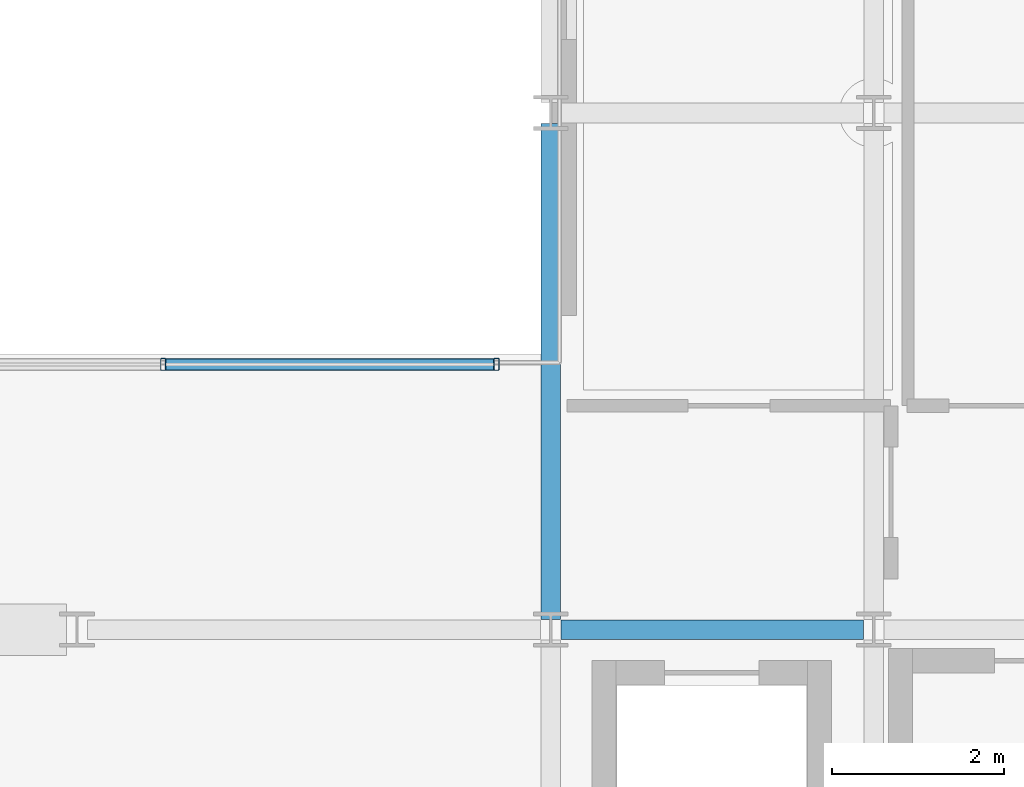
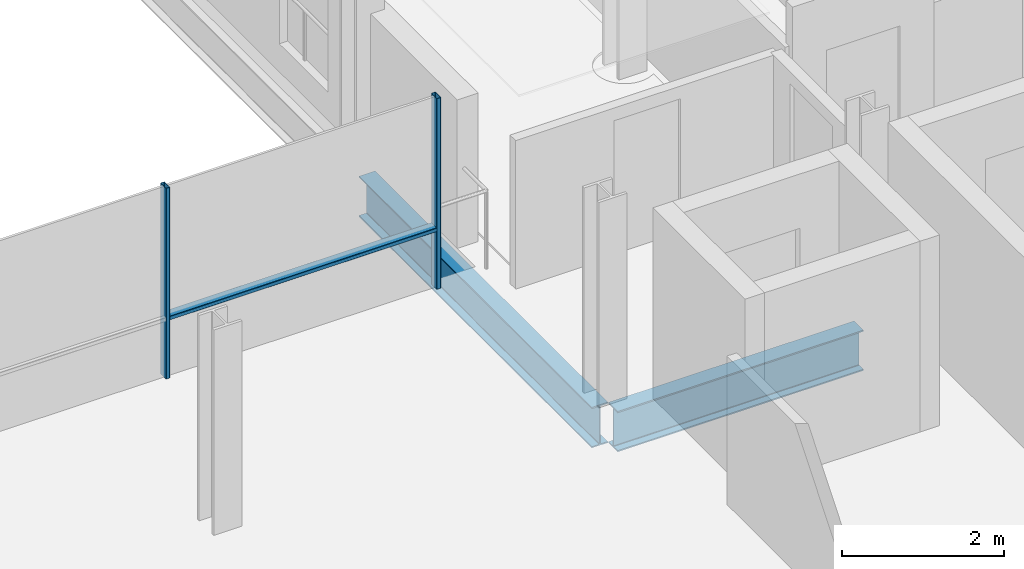
# One storey, part 15 of 38: 3 members, 2 beams, 1 element without a shape of its own.
"""IFC4 building model written with IfcOpenShell, lengths in metres."""

from ifc_helpers import new_model, si_unit, direction, frame, origin, origin_2d, place, context, subcontext, project, spatial, hollow_rectangle, i_section, extrude, material, layer, layer_set, material_profile, profile_set, type_object, element, aggregate, save


model = new_model("IFC4")

# Units and contexts
model_context = context("Model", 3, precision=1e-05, world=origin(), true_north=direction((0.0, 1.0)))
body_context = subcontext(model_context, "Body", "Model", "MODEL_VIEW")
ifc_project = project(units=[si_unit("LENGTHUNIT", "METRE"), si_unit("AREAUNIT", "SQUARE_METRE"), si_unit("VOLUMEUNIT", "CUBIC_METRE"), si_unit("PLANEANGLEUNIT", "RADIAN"), si_unit("MASSUNIT", "GRAM", prefix="KILO")], contexts=[model_context])

# Site, building, storey
site_placement = place(None, origin())
site = spatial("IfcSite", under=ifc_project, at=site_placement, CompositionType="ELEMENT")
building_placement = place(site_placement, origin())
building = spatial("IfcBuilding", under=site, at=building_placement, Name="Brevholm Reach", CompositionType="ELEMENT")
storey_placement = place(building_placement, frame((0.0, 0.0, 141.800048828125)))
storey = spatial("IfcBuildingStorey", under=building, at=storey_placement, Name="L42", CompositionType="ELEMENT", Elevation=141.800048828125)

# Beams
ifc_material_1 = material(Name="Structural Steel S355J2", Category="steel")
ifc_material_profile_1 = material_profile(ifc_material_1, i_section(OverallWidth=0.22900390625, OverallDepth=0.6123046875, WebThickness=0.011962890625, FlangeThickness=0.01953125, FilletRadius=0.0126953125, at=origin_2d()), Name="UKB 610x229x125")
ifc_profile_set_1 = profile_set([ifc_material_profile_1], Name="Structural Steel S355J2")
beam_type = type_object("IfcBeamType", Name="BM-SP610", PredefinedType="SPANDREL", material=ifc_profile_set_1)
beam_1_placement = place(storey_placement, frame((38.3701171875, 10.0, -0.526123046875), z_axis=(1.0, 0.0, 0.0), x_axis=(0.0, 1.0, 0.0)))
element("IfcBeam", 1, at=beam_1_placement, inside=storey, type_object=beam_type, Name="L42 SP-01 Framing Beam", PredefinedType="SPANDREL", context=body_context, shape_type="SweptSolid", body=[
    extrude(i_section(OverallWidth=0.22900390625, OverallDepth=0.6123046875, WebThickness=0.011962890625, FlangeThickness=0.01953125, FilletRadius=0.0126953125, at=origin_2d()), origin(), (0.0, 0.0, 1.0), 3.509765625),
])
beam_2_placement = place(storey_placement, frame((38.25, 10.1201171875, -0.526123046875), z_axis=(0.0, 1.0, 0.0), x_axis=(-1.0, 0.0, 0.0)))
element("IfcBeam", 2, at=beam_2_placement, inside=storey, type_object=beam_type, Name="L42 SP-01 Framing Beam", PredefinedType="SPANDREL", context=body_context, shape_type="SweptSolid", body=[
    extrude(i_section(OverallWidth=0.22900390625, OverallDepth=0.6123046875, WebThickness=0.011962890625, FlangeThickness=0.01953125, FilletRadius=0.0126953125, at=origin_2d()), origin(), (0.0, 0.0, 1.0), 5.759765625),
])

# Curtain wall, members
ifc_material_2 = material(Name="Dark Anodised Aluminium 6063-T6 and Solar-Control Glass", Category="aluminium")
ifc_layer = layer(ifc_material_2, 0.139892578125)
ifc_layer_set = layer_set([ifc_layer], Name="Dark Anodised Aluminium 6063-T6 and Solar-Control Glass")
curtain_wall_type = type_object("IfcCurtainWallType", Name="CW-02", PredefinedType="NOTDEFINED", material=ifc_layer_set)
curtain_wall_placement = place(storey_placement, origin())
curtain_wall = element("IfcCurtainWall", 3, at=curtain_wall_placement, inside=storey, type_object=curtain_wall_type, Name="L42 Curtain Wall CW-02", PredefinedType="NOTDEFINED")
ifc_material_3 = material(Name="Dark Anodised Aluminium 6063-T6", Category="aluminium")
ifc_material_profile_2 = material_profile(ifc_material_3, hollow_rectangle(XDim=0.06005859375, YDim=0.139892578125, WallThickness=0.0048828125, InnerFilletRadius=0.0048828125, OuterFilletRadius=0.010009765625, at=origin_2d()), Name="RHS 140x60x5")
ifc_profile_set_2 = profile_set([ifc_material_profile_2], Name="Dark Anodised Aluminium 6063-T6")
member_type_1 = type_object("IfcMemberType", Name="CWM-140", PredefinedType="MULLION", material=ifc_profile_set_2)
member_1_placement = place(storey_placement, frame((33.75, 13.080078125, 0.0), z_axis=(0.0, 0.0, 1.0), x_axis=(1.0, 0.0, 0.0)))
member_1 = element("IfcMember", 4, at=member_1_placement, type_object=member_type_1, Name="CM-140 Mullion 4", PredefinedType="MULLION", context=body_context, shape_type="SweptSolid", body=[
    extrude(hollow_rectangle(XDim=0.06005859375, YDim=0.139892578125, WallThickness=0.0048828125, InnerFilletRadius=0.0048828125, OuterFilletRadius=0.010009765625, at=origin_2d()), origin(), (0.0, 0.0, 1.0), 2.8798828125),
])
member_2_placement = place(storey_placement, frame((37.6201171875, 13.080078125, 0.0), z_axis=(0.0, 0.0, 1.0), x_axis=(1.0, 0.0, 0.0)))
member_2 = element("IfcMember", 5, at=member_2_placement, type_object=member_type_1, Name="CM-140 Mullion 5", PredefinedType="MULLION", context=body_context, shape_type="SweptSolid", body=[
    extrude(hollow_rectangle(XDim=0.06005859375, YDim=0.139892578125, WallThickness=0.0048828125, InnerFilletRadius=0.0048828125, OuterFilletRadius=0.010009765625, at=origin_2d()), origin(), (0.0, 0.0, 1.0), 2.8798828125),
])
ifc_material_4 = material(Name="Dark Anodised Aluminium 6063-T6", Category="aluminium")
ifc_material_profile_3 = material_profile(ifc_material_4, hollow_rectangle(XDim=0.06005859375, YDim=0.139892578125, WallThickness=0.0048828125, InnerFilletRadius=0.0048828125, OuterFilletRadius=0.010009765625, at=origin_2d()), Name="RHS 140x60x5")
ifc_profile_set_3 = profile_set([ifc_material_profile_3], Name="Dark Anodised Aluminium 6063-T6")
member_type_2 = type_object("IfcMemberType", Name="CWT-140", PredefinedType="NOTDEFINED", material=ifc_profile_set_3)
member_3_placement = place(storey_placement, frame((33.780029296875, 13.080078125, 0.89990234375), z_axis=(1.0, 0.0, 0.0), x_axis=(0.0, 0.0, 1.0)))
member_3 = element("IfcMember", 6, at=member_3_placement, type_object=member_type_2, Name="CT-140 Transom 4.1", ObjectType="TRANSOM", PredefinedType="USERDEFINED", context=body_context, shape_type="SweptSolid", body=[
    extrude(hollow_rectangle(XDim=0.06005859375, YDim=0.139892578125, WallThickness=0.0048828125, InnerFilletRadius=0.0048828125, OuterFilletRadius=0.010009765625, at=origin_2d()), origin(), (0.0, 0.0, 1.0), 3.81005859375),
])
aggregate(curtain_wall, [member_1, member_2, member_3])

save(model, "model.ifc")
